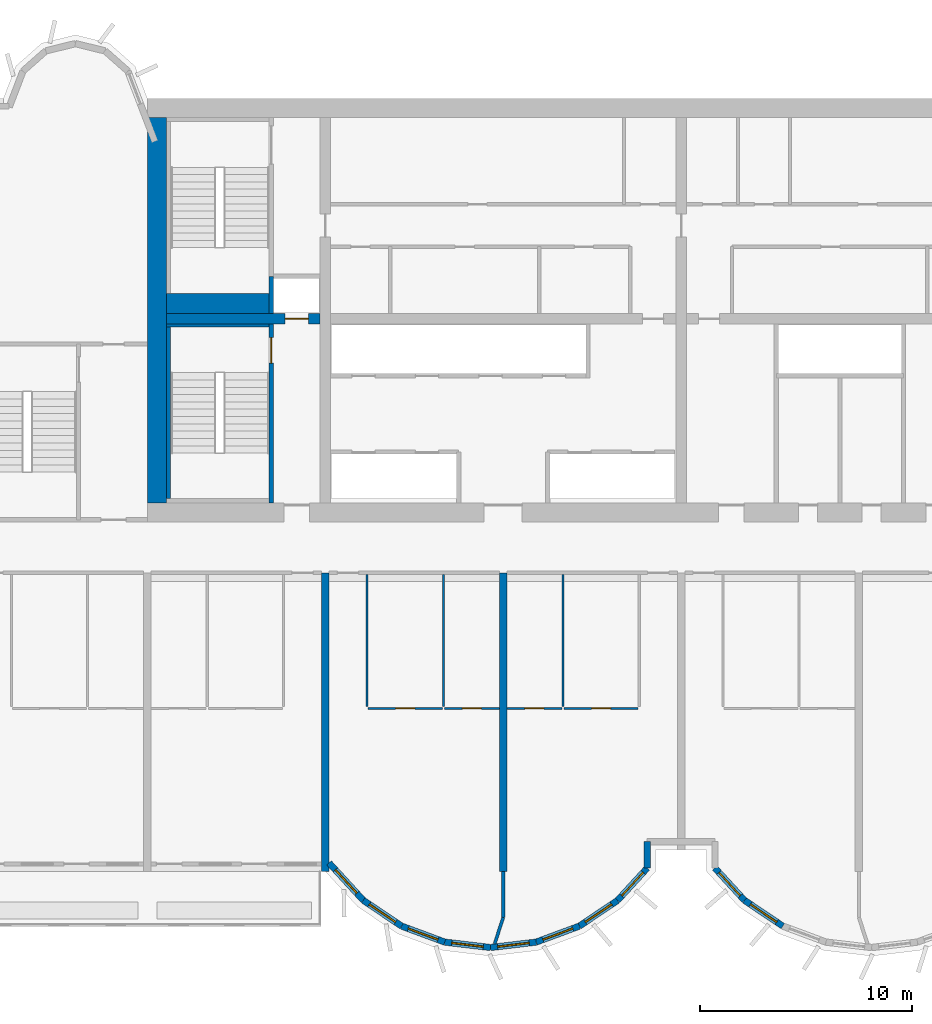
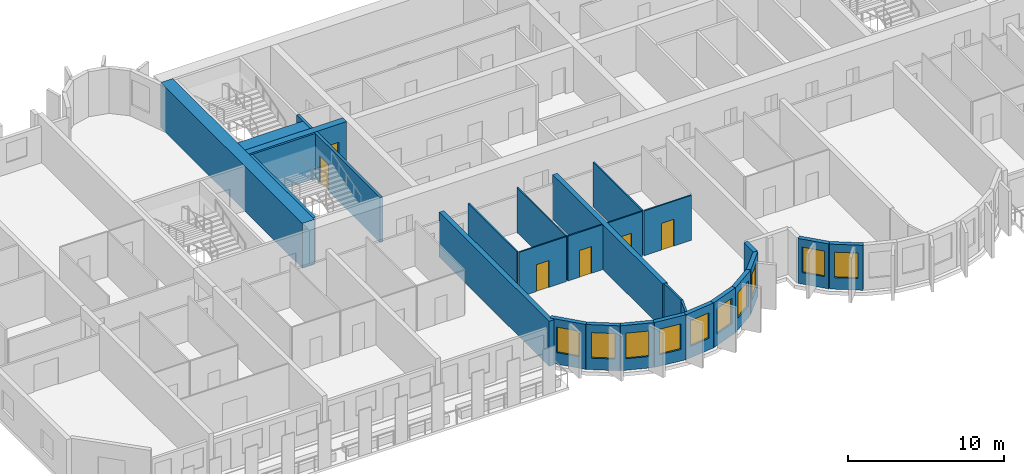
# One storey, part 4 of 14: 29 walls, 10 windows, 6 doors, 16 openings.
"""IFC4 building model written with IfcOpenShell, lengths in metres."""

from ifc_helpers import new_model, si_unit, direction, frame, frame_2d, origin, place, context, subcontext, project, spatial, rectangle, extrude, source, transform, mapped, material, layer, layer_set, type_object, element, fill, save


model = new_model("IFC4")

# Units and contexts
model_context = context("Model", 3, precision=1e-05, world=origin(), true_north=direction((0.0, 1.0)))
body_context = subcontext(model_context, "Body", "Model", "MODEL_VIEW")
ifc_project = project(units=[si_unit("LENGTHUNIT", "METRE"), si_unit("AREAUNIT", "SQUARE_METRE"), si_unit("VOLUMEUNIT", "CUBIC_METRE"), si_unit("PLANEANGLEUNIT", "RADIAN"), si_unit("MASSUNIT", "GRAM", prefix="KILO")], contexts=[model_context])

# Site, building, storey
site_placement = place(None, origin())
site = spatial("IfcSite", under=ifc_project, at=site_placement, CompositionType="ELEMENT")
building_placement = place(site_placement, origin())
building = spatial("IfcBuilding", under=site, at=building_placement, Name="Vanashikhar Sky Hotel", CompositionType="ELEMENT")
storey_placement = place(building_placement, frame((0.0, 0.0, 118.0)))
storey = spatial("IfcBuildingStorey", under=building, at=storey_placement, Name="L28", CompositionType="ELEMENT", Elevation=118.0)

# Wall
ifc_material_1 = material(Name="Concrete M70", Category="concrete")
ifc_layer_1 = layer(ifc_material_1, 0.89990234375)
ifc_layer_set_1 = layer_set([ifc_layer_1], Name="RC core shell wall 900 Concrete M70")
wall_type_1 = type_object("IfcWallType", Name="RC core shell wall 900 Concrete M70", PredefinedType="SHEAR", material=ifc_layer_set_1)
shared_shape_1 = source(origin(), body_context, "Body", "SweptSolid", [
    extrude(rectangle(XDim=18.2001953125, YDim=0.89990234375, at=frame_2d((9.10009765625, 0.0))), origin(), (0.0, 0.0, 1.0), 3.52001953125),
])
wall_1_placement = place(storey_placement, frame((25.64990234375, 22.89990234375, 0.0), z_axis=(0.0, 0.0, 1.0), x_axis=(0.0, 1.0, 0.0)))
element("IfcWall", 1, at=wall_1_placement, inside=storey, type_object=wall_type_1, Name="KW-L28-KW", PredefinedType="SHEAR", context=body_context, shape_type="MappedRepresentation", body=[
    mapped(shared_shape_1, transform((0.0, 0.0, 0.0), scale=1.0)),
])

# Wall, opening, door
ifc_layer_2 = layer(ifc_material_1, 0.5)
ifc_layer_set_2 = layer_set([ifc_layer_2], Name="RC core inner wall 500 Concrete M70")
wall_type_2 = type_object("IfcWallType", Name="RC core inner wall 500 Concrete M70", PredefinedType="SHEAR", material=ifc_layer_set_2)
shared_shape_2 = source(origin(), body_context, "Body", "SweptSolid", [
    extrude(rectangle(XDim=7.25, YDim=0.5, at=frame_2d((3.625, 0.0))), origin(), (0.0, 0.0, 1.0), 3.52001953125),
])
wall_2_placement = place(storey_placement, frame((26.10009765625, 31.60009765625, 0.0), z_axis=(0.0, 0.0, 1.0), x_axis=(1.0, 0.0, 0.0)))
wall_2 = element("IfcWall", 2, at=wall_2_placement, inside=storey, type_object=wall_type_2, Name="KW-L28-KY1", PredefinedType="SHEAR", context=body_context, shape_type="MappedRepresentation", body=[
    mapped(shared_shape_2, transform((0.0, 0.0, 0.0), scale=1.0)),
])
shared_shape_3 = source(origin(), body_context, "Body", "SweptSolid", [
    extrude(rectangle(XDim=1.10009765625, YDim=2.10009765625, at=frame_2d((0.550048828125, 1.050048828125))), frame((0.0, 0.260009765625, 0.0), z_axis=(0.0, -1.0, 0.0), x_axis=(1.0, 0.0, 0.0)), (0.0, 0.0, 1.0), 0.52001953125),
])
opening_1_placement = place(wall_2_placement, frame((5.60009765625, 0.0, 0.0)))
opening_1 = element("IfcOpeningElement", 3, at=opening_1_placement, cuts=wall_2, Name="Opening LD", PredefinedType="OPENING", context=body_context, shape_type="MappedRepresentation", body=[
    mapped(shared_shape_3, transform((0.0, 0.0, 0.0), scale=1.0)),
])
ifc_material_2 = material(Name="Stainless steel", Category="steel")
door_type_1 = type_object("IfcDoorType", Name="Lift landing door 1100", OperationType="NOTDEFINED", PredefinedType="DOOR", material=ifc_material_2)
shared_shape_4 = source(origin(), body_context, "Body", "SweptSolid", [
    extrude(rectangle(XDim=1.10009765625, YDim=2.10009765625, at=frame_2d((0.550048828125, 1.050048828125))), frame((0.0, 0.02490234375, 0.0), z_axis=(0.0, -1.0, 0.0), x_axis=(1.0, 0.0, 0.0)), (0.0, 0.0, 1.0), 0.050048828125),
])
door_1_placement = place(opening_1_placement, origin())
door_1 = element("IfcDoor", 4, at=door_1_placement, inside=storey, type_object=door_type_1, Name="Lift landing door 1100", OperationType="SLIDING_TO_RIGHT", OverallHeight=2.10009765625, OverallWidth=1.10009765625, PredefinedType="DOOR", context=body_context, shape_type="MappedRepresentation", body=[
    mapped(shared_shape_4, transform((0.0, 0.0, 0.0), scale=1.0)),
])
fill(opening_1, door_1)

# Walls
ifc_layer_3 = layer(ifc_material_1, 0.35009765625)
ifc_layer_set_3 = layer_set([ifc_layer_3], Name="RC shear wall 350 Concrete M70")
wall_type_3 = type_object("IfcWallType", Name="RC shear wall 350 Concrete M70", PredefinedType="SHEAR", material=ifc_layer_set_3)
shared_shape_5 = source(origin(), body_context, "Body", "SweptSolid", [
    extrude(rectangle(XDim=14.10009765625, YDim=0.35009765625, at=frame_2d((7.050048828125, 0.0))), origin(), (0.0, 0.0, 1.0), 3.52001953125),
])
for number, where, z_axis, x_axis, name in (
    (5, (33.60009765625, 5.5, 0.0), (0.0, 0.0, 1.0), (0.0, 1.0, 0.0), "CW-L28-XW05-1"),
    (6, (42.0, 5.5, 0.0), (0.0, 0.0, 1.0), (0.0, 1.0, 0.0), "CW-L28-XW06-1"),
):
    element("IfcWall", number, at=place(storey_placement, frame(where, z_axis=z_axis, x_axis=x_axis)), inside=storey, type_object=wall_type_3, Name=name, PredefinedType="SHEAR", context=body_context, shape_type="MappedRepresentation", body=[
        mapped(shared_shape_5, transform((0.0, 0.0, 0.0), scale=1.0)),
    ])

# Wall, opening, window
ifc_material_3 = material(Name="Concrete M50", Category="concrete")
ifc_layer_4 = layer(ifc_material_3, 0.300048828125)
ifc_layer_set_4 = layer_set([ifc_layer_4], Name="Lobe wall 300")
wall_type_4 = type_object("IfcWallType", Name="Lobe wall 300", PredefinedType="SOLIDWALL", material=ifc_layer_set_4)
shared_shape_6 = source(origin(), body_context, "Body", "SweptSolid", [
    extrude(rectangle(XDim=2.398193359375, YDim=0.300048828125, at=frame_2d((1.19921875, 0.0))), origin(), (0.0, 0.0, 1.0), 3.52001953125),
])
wall_3_placement = place(storey_placement, frame((33.776123046875, 5.89990234375, 0.0), z_axis=(0.0, 0.0, 1.0), x_axis=(0.675374189419, -0.737475222815, 0.0)))
wall_3 = element("IfcWall", 7, at=wall_3_placement, inside=storey, type_object=wall_type_4, Name="Lobe wall", PredefinedType="SOLIDWALL", context=body_context, shape_type="MappedRepresentation", body=[
    mapped(shared_shape_6, transform((0.0, 0.0, 0.0), scale=1.0)),
])
shared_shape_7 = source(origin(), body_context, "Body", "SweptSolid", [
    extrude(rectangle(XDim=1.5, YDim=2.0, at=frame_2d((0.75, 1.0))), frame((0.0, 0.16015625, 0.0), z_axis=(0.0, -1.0, 0.0), x_axis=(1.0, 0.0, 0.0)), (0.0, 0.0, 1.0), 0.320068359375),
])
opening_2_placement = place(wall_3_placement, frame((0.44921875, 0.0, 0.89990234375)))
opening_2 = element("IfcOpeningElement", 8, at=opening_2_placement, cuts=wall_3, Name="Opening WN-2", PredefinedType="OPENING", context=body_context, shape_type="MappedRepresentation", body=[
    mapped(shared_shape_7, transform((0.0, 0.0, 0.0), scale=1.0)),
])
ifc_material_4 = material(Name="Glass", Category="glass")
window_type = type_object("IfcWindowType", Name="Lobe window 1500 x 2000", PartitioningType="SINGLE_PANEL", PredefinedType="WINDOW", material=ifc_material_4)
shared_shape_8 = source(origin(), body_context, "Body", "SweptSolid", [
    extrude(rectangle(XDim=1.5, YDim=2.0, at=frame_2d((0.75, 1.0))), frame((0.0, 0.030029296875, 0.0), z_axis=(0.0, -1.0, 0.0), x_axis=(1.0, 0.0, 0.0)), (0.0, 0.0, 1.0), 0.06005859375),
])
window_1_placement = place(opening_2_placement, origin())
window_1 = element("IfcWindow", 9, at=window_1_placement, inside=storey, type_object=window_type, Name="Window WN-2", OverallHeight=2.0, OverallWidth=1.5, PartitioningType="SINGLE_PANEL", PredefinedType="WINDOW", context=body_context, shape_type="MappedRepresentation", body=[
    mapped(shared_shape_8, transform((0.0, 0.0, 0.0), scale=1.0)),
])
fill(opening_2, window_1)

shared_shape_9 = source(origin(), body_context, "Body", "SweptSolid", [
    extrude(rectangle(XDim=2.17578125, YDim=0.300048828125, at=frame_2d((1.087890625, 0.0))), origin(), (0.0, 0.0, 1.0), 3.52001953125),
])
wall_4_placement = place(storey_placement, frame((35.395751953125, 4.13134765625, 0.0), z_axis=(0.0, 0.0, 1.0), x_axis=(0.829590746428, -0.558371913192, 0.0)))
wall_4 = element("IfcWall", 10, at=wall_4_placement, inside=storey, type_object=wall_type_4, Name="Lobe wall", PredefinedType="SOLIDWALL", context=body_context, shape_type="MappedRepresentation", body=[
    mapped(shared_shape_9, transform((0.0, 0.0, 0.0), scale=1.0)),
])
opening_3_placement = place(wall_4_placement, frame((0.337890625, 0.0, 0.89990234375)))
opening_3 = element("IfcOpeningElement", 11, at=opening_3_placement, cuts=wall_4, Name="Opening WN-2", PredefinedType="OPENING", context=body_context, shape_type="MappedRepresentation", body=[
    mapped(shared_shape_7, transform((0.0, 0.0, 0.0), scale=1.0)),
])
window_2_placement = place(opening_3_placement, origin())
window_2 = element("IfcWindow", 12, at=window_2_placement, inside=storey, type_object=window_type, Name="Window WN-2", OverallHeight=2.0, OverallWidth=1.5, PartitioningType="SINGLE_PANEL", PredefinedType="WINDOW", context=body_context, shape_type="MappedRepresentation", body=[
    mapped(shared_shape_8, transform((0.0, 0.0, 0.0), scale=1.0)),
])
fill(opening_3, window_2)

wall_5_placement = place(storey_placement, frame((37.20068359375, 2.91650390625, 0.0), z_axis=(0.0, 0.0, 1.0), x_axis=(0.93754555999, -0.347862505801, 0.0)))
wall_5 = element("IfcWall", 13, at=wall_5_placement, inside=storey, type_object=wall_type_4, Name="Lobe wall", PredefinedType="SOLIDWALL", context=body_context, shape_type="MappedRepresentation", body=[
    mapped(shared_shape_9, transform((0.0, 0.0, 0.0), scale=1.0)),
])
opening_4_placement = place(wall_5_placement, frame((0.337890625, 0.0, 0.89990234375)))
opening_4 = element("IfcOpeningElement", 14, at=opening_4_placement, cuts=wall_5, Name="Opening WN-2", PredefinedType="OPENING", context=body_context, shape_type="MappedRepresentation", body=[
    mapped(shared_shape_7, transform((0.0, 0.0, 0.0), scale=1.0)),
])
window_3_placement = place(opening_4_placement, origin())
window_3 = element("IfcWindow", 15, at=window_3_placement, inside=storey, type_object=window_type, Name="Window WN-2", OverallHeight=2.0, OverallWidth=1.5, PartitioningType="SINGLE_PANEL", PredefinedType="WINDOW", context=body_context, shape_type="MappedRepresentation", body=[
    mapped(shared_shape_8, transform((0.0, 0.0, 0.0), scale=1.0)),
])
fill(opening_4, window_3)

wall_6_placement = place(storey_placement, frame((45.59912109375, 2.91650390625, 0.0), z_axis=(0.0, 0.0, 1.0), x_axis=(0.829625727223, 0.558319937607, 0.0)))
wall_6 = element("IfcWall", 16, at=wall_6_placement, inside=storey, type_object=wall_type_4, Name="Lobe wall", PredefinedType="SOLIDWALL", context=body_context, shape_type="MappedRepresentation", body=[
    mapped(shared_shape_9, transform((0.0, 0.0, 0.0), scale=1.0)),
])
opening_5_placement = place(wall_6_placement, frame((0.337890625, 0.0, 0.89990234375)))
opening_5 = element("IfcOpeningElement", 17, at=opening_5_placement, cuts=wall_6, Name="Opening WN-2", PredefinedType="OPENING", context=body_context, shape_type="MappedRepresentation", body=[
    mapped(shared_shape_7, transform((0.0, 0.0, 0.0), scale=1.0)),
])
window_4_placement = place(opening_5_placement, origin())
window_4 = element("IfcWindow", 18, at=window_4_placement, inside=storey, type_object=window_type, Name="Window WN-2", OverallHeight=2.0, OverallWidth=1.5, PartitioningType="SINGLE_PANEL", PredefinedType="WINDOW", context=body_context, shape_type="MappedRepresentation", body=[
    mapped(shared_shape_8, transform((0.0, 0.0, 0.0), scale=1.0)),
])
fill(opening_5, window_4)

wall_7_placement = place(storey_placement, frame((53.395751953125, 4.13134765625, 0.0), z_axis=(0.0, 0.0, 1.0), x_axis=(0.829590746428, -0.558371913192, 0.0)))
wall_7 = element("IfcWall", 19, at=wall_7_placement, inside=storey, type_object=wall_type_4, Name="Lobe wall", PredefinedType="SOLIDWALL", context=body_context, shape_type="MappedRepresentation", body=[
    mapped(shared_shape_9, transform((0.0, 0.0, 0.0), scale=1.0)),
])
opening_6_placement = place(wall_7_placement, frame((0.337890625, 0.0, 0.89990234375)))
opening_6 = element("IfcOpeningElement", 20, at=opening_6_placement, cuts=wall_7, Name="Opening WN-2", PredefinedType="OPENING", context=body_context, shape_type="MappedRepresentation", body=[
    mapped(shared_shape_7, transform((0.0, 0.0, 0.0), scale=1.0)),
])
window_5_placement = place(opening_6_placement, origin())
window_5 = element("IfcWindow", 21, at=window_5_placement, inside=storey, type_object=window_type, Name="Window WN-2", OverallHeight=2.0, OverallWidth=1.5, PartitioningType="SINGLE_PANEL", PredefinedType="WINDOW", context=body_context, shape_type="MappedRepresentation", body=[
    mapped(shared_shape_8, transform((0.0, 0.0, 0.0), scale=1.0)),
])
fill(opening_6, window_5)

shared_shape_10 = source(origin(), body_context, "Body", "SweptSolid", [
    extrude(rectangle(XDim=2.174560546875, YDim=0.300048828125, at=frame_2d((1.08740234375, 0.0))), origin(), (0.0, 0.0, 1.0), 3.52001953125),
])
wall_8_placement = place(storey_placement, frame((39.240478515625, 2.15966796875, 0.0), z_axis=(0.0, 0.0, 1.0), x_axis=(0.993001132889, -0.118104826659, 0.0)))
wall_8 = element("IfcWall", 22, at=wall_8_placement, inside=storey, type_object=wall_type_4, Name="Lobe wall", PredefinedType="SOLIDWALL", context=body_context, shape_type="MappedRepresentation", body=[
    mapped(shared_shape_10, transform((0.0, 0.0, 0.0), scale=1.0)),
])
opening_7_placement = place(wall_8_placement, frame((0.33740234375, 0.0, 0.89990234375)))
opening_7 = element("IfcOpeningElement", 23, at=opening_7_placement, cuts=wall_8, Name="Opening WN-2", PredefinedType="OPENING", context=body_context, shape_type="MappedRepresentation", body=[
    mapped(shared_shape_7, transform((0.0, 0.0, 0.0), scale=1.0)),
])
window_6_placement = place(opening_7_placement, origin())
window_6 = element("IfcWindow", 24, at=window_6_placement, inside=storey, type_object=window_type, Name="Window WN-2", OverallHeight=2.0, OverallWidth=1.5, PartitioningType="SINGLE_PANEL", PredefinedType="WINDOW", context=body_context, shape_type="MappedRepresentation", body=[
    mapped(shared_shape_8, transform((0.0, 0.0, 0.0), scale=1.0)),
])
fill(opening_7, window_6)

shared_shape_11 = source(origin(), body_context, "Body", "SweptSolid", [
    extrude(rectangle(XDim=2.1748046875, YDim=0.300048828125, at=frame_2d((1.08740234375, 0.0))), origin(), (0.0, 0.0, 1.0), 3.52001953125),
])
wall_9_placement = place(storey_placement, frame((41.39990234375, 1.90283203125, 0.0), z_axis=(0.0, 0.0, 1.0), x_axis=(0.993002698611, 0.118091661648, 0.0)))
wall_9 = element("IfcWall", 25, at=wall_9_placement, inside=storey, type_object=wall_type_4, Name="Lobe wall", PredefinedType="SOLIDWALL", context=body_context, shape_type="MappedRepresentation", body=[
    mapped(shared_shape_11, transform((0.0, 0.0, 0.0), scale=1.0)),
])
opening_8_placement = place(wall_9_placement, frame((0.33740234375, 0.0, 0.89990234375)))
opening_8 = element("IfcOpeningElement", 26, at=opening_8_placement, cuts=wall_9, Name="Opening WN-2", PredefinedType="OPENING", context=body_context, shape_type="MappedRepresentation", body=[
    mapped(shared_shape_7, transform((0.0, 0.0, 0.0), scale=1.0)),
])
window_7_placement = place(opening_8_placement, origin())
window_7 = element("IfcWindow", 27, at=window_7_placement, inside=storey, type_object=window_type, Name="Window WN-2", OverallHeight=2.0, OverallWidth=1.5, PartitioningType="SINGLE_PANEL", PredefinedType="WINDOW", context=body_context, shape_type="MappedRepresentation", body=[
    mapped(shared_shape_8, transform((0.0, 0.0, 0.0), scale=1.0)),
])
fill(opening_8, window_7)

shared_shape_12 = source(origin(), body_context, "Body", "SweptSolid", [
    extrude(rectangle(XDim=2.175537109375, YDim=0.300048828125, at=frame_2d((1.087890625, 0.0))), origin(), (0.0, 0.0, 1.0), 3.52001953125),
])
wall_10_placement = place(storey_placement, frame((43.5595703125, 2.15966796875, 0.0), z_axis=(0.0, 0.0, 1.0), x_axis=(0.937531979054, 0.347899106424, 0.0)))
wall_10 = element("IfcWall", 28, at=wall_10_placement, inside=storey, type_object=wall_type_4, Name="Lobe wall", PredefinedType="SOLIDWALL", context=body_context, shape_type="MappedRepresentation", body=[
    mapped(shared_shape_12, transform((0.0, 0.0, 0.0), scale=1.0)),
])
opening_9_placement = place(wall_10_placement, frame((0.337890625, 0.0, 0.89990234375)))
opening_9 = element("IfcOpeningElement", 29, at=opening_9_placement, cuts=wall_10, Name="Opening WN-2", PredefinedType="OPENING", context=body_context, shape_type="MappedRepresentation", body=[
    mapped(shared_shape_7, transform((0.0, 0.0, 0.0), scale=1.0)),
])
window_8_placement = place(opening_9_placement, origin())
window_8 = element("IfcWindow", 30, at=window_8_placement, inside=storey, type_object=window_type, Name="Window WN-2", OverallHeight=2.0, OverallWidth=1.5, PartitioningType="SINGLE_PANEL", PredefinedType="WINDOW", context=body_context, shape_type="MappedRepresentation", body=[
    mapped(shared_shape_8, transform((0.0, 0.0, 0.0), scale=1.0)),
])
fill(opening_9, window_8)

shared_shape_13 = source(origin(), body_context, "Body", "SweptSolid", [
    extrude(rectangle(XDim=2.066650390625, YDim=0.300048828125, at=frame_2d((1.033203125, 0.0))), origin(), (0.0, 0.0, 1.0), 3.52001953125),
])
wall_11_placement = place(storey_placement, frame((47.404296875, 4.13134765625, 0.0), z_axis=(0.0, 0.0, 1.0), x_axis=(0.675355439877, 0.737492393065, 0.0)))
wall_11 = element("IfcWall", 31, at=wall_11_placement, inside=storey, type_object=wall_type_4, Name="Lobe wall", PredefinedType="SOLIDWALL", context=body_context, shape_type="MappedRepresentation", body=[
    mapped(shared_shape_13, transform((0.0, 0.0, 0.0), scale=1.0)),
])
opening_10_placement = place(wall_11_placement, frame((0.283447265625, 0.0, 0.89990234375)))
opening_10 = element("IfcOpeningElement", 32, at=opening_10_placement, cuts=wall_11, Name="Opening WN-2", PredefinedType="OPENING", context=body_context, shape_type="MappedRepresentation", body=[
    mapped(shared_shape_7, transform((0.0, 0.0, 0.0), scale=1.0)),
])
window_9_placement = place(opening_10_placement, origin())
window_9 = element("IfcWindow", 33, at=window_9_placement, inside=storey, type_object=window_type, Name="Window WN-2", OverallHeight=2.0, OverallWidth=1.5, PartitioningType="SINGLE_PANEL", PredefinedType="WINDOW", context=body_context, shape_type="MappedRepresentation", body=[
    mapped(shared_shape_8, transform((0.0, 0.0, 0.0), scale=1.0)),
])
fill(opening_10, window_9)

wall_12_placement = place(storey_placement, frame((52.0, 5.655517578125, 0.0), z_axis=(0.0, 0.0, 1.0), x_axis=(0.675355439877, -0.737492393065, 0.0)))
wall_12 = element("IfcWall", 34, at=wall_12_placement, inside=storey, type_object=wall_type_4, Name="Lobe wall", PredefinedType="SOLIDWALL", context=body_context, shape_type="MappedRepresentation", body=[
    mapped(shared_shape_13, transform((0.0, 0.0, 0.0), scale=1.0)),
])
opening_11_placement = place(wall_12_placement, frame((0.283447265625, 0.0, 0.89990234375)))
opening_11 = element("IfcOpeningElement", 35, at=opening_11_placement, cuts=wall_12, Name="Opening WN-2", PredefinedType="OPENING", context=body_context, shape_type="MappedRepresentation", body=[
    mapped(shared_shape_7, transform((0.0, 0.0, 0.0), scale=1.0)),
])
window_10_placement = place(opening_11_placement, origin())
window_10 = element("IfcWindow", 36, at=window_10_placement, inside=storey, type_object=window_type, Name="Window WN-2", OverallHeight=2.0, OverallWidth=1.5, PartitioningType="SINGLE_PANEL", PredefinedType="WINDOW", context=body_context, shape_type="MappedRepresentation", body=[
    mapped(shared_shape_8, transform((0.0, 0.0, 0.0), scale=1.0)),
])
fill(opening_11, window_10)

# Wall
shared_shape_14 = source(origin(), body_context, "Body", "SweptSolid", [
    extrude(rectangle(XDim=1.244384765625, YDim=0.300048828125, at=frame_2d((0.6220703125, 0.0))), origin(), (0.0, 0.0, 1.0), 3.52001953125),
])
wall_13_placement = place(storey_placement, frame((48.800048828125, 5.655517578125, 0.0), z_axis=(0.0, 0.0, 1.0), x_axis=(0.0, 1.0, 0.0)))
element("IfcWall", 37, at=wall_13_placement, inside=storey, type_object=wall_type_4, Name="Groove wall", PredefinedType="SOLIDWALL", context=body_context, shape_type="MappedRepresentation", body=[
    mapped(shared_shape_14, transform((0.0, 0.0, 0.0), scale=1.0)),
])

# Wall, opening, door
ifc_layer_5 = layer(ifc_material_3, 0.199951171875)
ifc_layer_set_5 = layer_set([ifc_layer_5], Name="Stair wall 200")
wall_type_5 = type_object("IfcWallType", Name="Stair wall 200", PredefinedType="SOLIDWALL", material=ifc_layer_set_5)
shared_shape_15 = source(origin(), body_context, "Body", "SweptSolid", [
    extrude(rectangle(XDim=8.4501953125, YDim=0.199951171875, at=frame_2d((4.22509765625, 0.0))), origin(), (0.0, 0.0, 1.0), 3.52001953125),
])
wall_14_placement = place(storey_placement, frame((31.050048828125, 22.89990234375, 0.0), z_axis=(0.0, 0.0, 1.0), x_axis=(0.0, 1.0, 0.0)))
wall_14 = element("IfcWall", 38, at=wall_14_placement, inside=storey, type_object=wall_type_5, Name="Stair wall 200", PredefinedType="SOLIDWALL", context=body_context, shape_type="MappedRepresentation", body=[
    mapped(shared_shape_15, transform((0.0, 0.0, 0.0), scale=1.0)),
])
shared_shape_16 = source(origin(), body_context, "Body", "SweptSolid", [
    extrude(rectangle(XDim=1.199951171875, YDim=2.10009765625, at=frame_2d((0.60009765625, 1.050048828125))), frame((0.0, 0.10986328125, 0.0), z_axis=(0.0, -1.0, 0.0), x_axis=(1.0, 0.0, 0.0)), (0.0, 0.0, 1.0), 0.219970703125),
])
opening_12_placement = place(wall_14_placement, frame((6.60009765625, 0.0, 0.0)))
opening_12 = element("IfcOpeningElement", 39, at=opening_12_placement, cuts=wall_14, Name="Opening DC-1", PredefinedType="OPENING", context=body_context, shape_type="MappedRepresentation", body=[
    mapped(shared_shape_16, transform((0.0, 0.0, 0.0), scale=1.0)),
])
ifc_material_5 = material(Name="Steel", Category="steel")
door_type_2 = type_object("IfcDoorType", Name="Stair door 1200 FD120", OperationType="NOTDEFINED", PredefinedType="DOOR", material=ifc_material_5)
shared_shape_17 = source(origin(), body_context, "Body", "SweptSolid", [
    extrude(rectangle(XDim=1.199951171875, YDim=2.10009765625, at=frame_2d((0.60009765625, 1.050048828125))), frame((0.0, 0.02490234375, 0.0), z_axis=(0.0, -1.0, 0.0), x_axis=(1.0, 0.0, 0.0)), (0.0, 0.0, 1.0), 0.050048828125),
])
door_2_placement = place(opening_12_placement, origin())
door_2 = element("IfcDoor", 40, at=door_2_placement, inside=storey, type_object=door_type_2, Name="Stair door 1200 FD120", OperationType="SINGLE_SWING_LEFT", OverallHeight=2.10009765625, OverallWidth=1.199951171875, PredefinedType="DOOR", context=body_context, shape_type="MappedRepresentation", body=[
    mapped(shared_shape_17, transform((0.0, 0.0, 0.0), scale=1.0)),
])
fill(opening_12, door_2)

# Walls
ifc_material_6 = material(Name="Concrete M40", Category="concrete")
ifc_layer_6 = layer(ifc_material_6, 0.199951171875)
ifc_layer_set_6 = layer_set([ifc_layer_6], Name="Shaft wall 200")
wall_type_6 = type_object("IfcWallType", Name="Shaft wall 200", PredefinedType="SOLIDWALL", material=ifc_layer_set_6)
shared_shape_18 = source(origin(), body_context, "Body", "SweptSolid", [
    extrude(rectangle(XDim=1.75, YDim=0.199951171875, at=frame_2d((0.875, 0.0))), origin(), (0.0, 0.0, 1.0), 3.52001953125),
])
wall_15_placement = place(storey_placement, frame((31.050048828125, 31.85009765625, 0.0), z_axis=(0.0, 0.0, 1.0), x_axis=(0.0, 1.0, 0.0)))
element("IfcWall", 41, at=wall_15_placement, inside=storey, type_object=wall_type_6, Name="Shaft wall 200", PredefinedType="SOLIDWALL", context=body_context, shape_type="MappedRepresentation", body=[
    mapped(shared_shape_18, transform((0.0, 0.0, 0.0), scale=1.0)),
])
ifc_layer_7 = layer(ifc_material_3, 0.14990234375)
ifc_layer_set_7 = layer_set([ifc_layer_7], Name="Stair infill wall 150")
wall_type_7 = type_object("IfcWallType", Name="Stair infill wall 150", PredefinedType="SOLIDWALL", material=ifc_layer_set_7)
shared_shape_19 = source(origin(), body_context, "Body", "SweptSolid", [
    extrude(rectangle(XDim=4.849853515625, YDim=0.14990234375, at=frame_2d((2.4248046875, 0.0))), origin(), (0.0, 0.0, 1.0), 3.52001953125),
])
wall_16_placement = place(storey_placement, frame((26.10009765625, 31.27490234375, 0.0), z_axis=(0.0, 0.0, 1.0), x_axis=(1.0, 0.0, 0.0)))
element("IfcWall", 42, at=wall_16_placement, inside=storey, type_object=wall_type_7, Name="Stair infill wall 150", PredefinedType="SOLIDWALL", context=body_context, shape_type="MappedRepresentation", body=[
    mapped(shared_shape_19, transform((0.0, 0.0, 0.0), scale=1.0)),
])
ifc_layer_8 = layer(ifc_material_3, 0.199951171875)
ifc_layer_set_8 = layer_set([ifc_layer_8], Name="Stair infill wall 200")
wall_type_8 = type_object("IfcWallType", Name="Stair infill wall 200", PredefinedType="SOLIDWALL", material=ifc_layer_set_8)
shared_shape_20 = source(origin(), body_context, "Body", "SweptSolid", [
    extrude(rectangle(XDim=8.099853515625, YDim=0.199951171875, at=frame_2d((4.0498046875, 0.0))), origin(), (0.0, 0.0, 1.0), 3.52001953125),
])
wall_17_placement = place(storey_placement, frame((26.199951171875, 23.10009765625, 0.0), z_axis=(0.0, 0.0, 1.0), x_axis=(0.0, 1.0, 0.0)))
element("IfcWall", 43, at=wall_17_placement, inside=storey, type_object=wall_type_8, Name="Stair infill wall 200", PredefinedType="SOLIDWALL", context=body_context, shape_type="MappedRepresentation", body=[
    mapped(shared_shape_20, transform((0.0, 0.0, 0.0), scale=1.0)),
])
ifc_layer_9 = layer(ifc_material_3, 0.949951171875)
ifc_layer_set_9 = layer_set([ifc_layer_9], Name="Stair infill wall 950")
wall_type_9 = type_object("IfcWallType", Name="Stair infill wall 950", PredefinedType="SOLIDWALL", material=ifc_layer_set_9)
shared_shape_21 = source(origin(), body_context, "Body", "SweptSolid", [
    extrude(rectangle(XDim=4.849853515625, YDim=0.949951171875, at=frame_2d((2.4248046875, 0.0))), origin(), (0.0, 0.0, 1.0), 3.52001953125),
])
wall_18_placement = place(storey_placement, frame((26.10009765625, 32.324951171875, 0.0), z_axis=(0.0, 0.0, 1.0), x_axis=(1.0, 0.0, 0.0)))
element("IfcWall", 44, at=wall_18_placement, inside=storey, type_object=wall_type_9, Name="Stair infill wall 950", PredefinedType="SOLIDWALL", context=body_context, shape_type="MappedRepresentation", body=[
    mapped(shared_shape_21, transform((0.0, 0.0, 0.0), scale=1.0)),
])
ifc_material_7 = material(Name="Gypsum plasterboard partition")
ifc_layer_10 = layer(ifc_material_7, 0.14990234375)
ifc_layer_set_10 = layer_set([ifc_layer_10], Name="Corridor and demising partition 150")
wall_type_10 = type_object("IfcWallType", Name="Corridor and demising partition 150", PredefinedType="PARTITIONING", material=ifc_layer_set_10)
shared_shape_22 = source(origin(), body_context, "Body", "SweptSolid", [
    extrude(rectangle(XDim=2.177978515625, YDim=0.14990234375, at=frame_2d((1.0888671875, 0.0))), origin(), (0.0, 0.0, 1.0), 3.52001953125),
])
wall_19_placement = place(storey_placement, frame((42.0, 3.322021484375, 0.0), z_axis=(0.0, 0.0, 1.0), x_axis=(0.0, 1.0, 0.0)))
element("IfcWall", 45, at=wall_19_placement, inside=storey, type_object=wall_type_10, Name="W-L28-PW057", PredefinedType="PARTITIONING", context=body_context, shape_type="MappedRepresentation", body=[
    mapped(shared_shape_22, transform((0.0, 0.0, 0.0), scale=1.0)),
])

# Wall, opening, door
ifc_layer_11 = layer(ifc_material_7, 0.10009765625)
ifc_layer_set_11 = layer_set([ifc_layer_11], Name="Wet room partition 100")
wall_type_11 = type_object("IfcWallType", Name="Wet room partition 100", PredefinedType="PARTITIONING", material=ifc_layer_set_11)
shared_shape_23 = source(origin(), body_context, "Body", "SweptSolid", [
    extrude(rectangle(XDim=3.5, YDim=0.10009765625, at=frame_2d((1.75, 0.0))), origin(), (0.0, 0.0, 1.0), 3.52001953125),
])
wall_20_placement = place(storey_placement, frame((35.625, 13.199951171875, 0.0), z_axis=(0.0, 0.0, 1.0), x_axis=(1.0, 0.0, 0.0)))
wall_20 = element("IfcWall", 46, at=wall_20_placement, inside=storey, type_object=wall_type_11, Name="W-L28-PW020", PredefinedType="PARTITIONING", context=body_context, shape_type="MappedRepresentation", body=[
    mapped(shared_shape_23, transform((0.0, 0.0, 0.0), scale=1.0)),
])
shared_shape_24 = source(origin(), body_context, "Body", "SweptSolid", [
    extrude(rectangle(XDim=0.89990234375, YDim=2.10009765625, at=frame_2d((0.449951171875, 1.050048828125))), frame((0.0, 0.06005859375, 0.0), z_axis=(0.0, -1.0, 0.0), x_axis=(1.0, 0.0, 0.0)), (0.0, 0.0, 1.0), 0.1201171875),
])
opening_13_placement = place(wall_20_placement, frame((1.300048828125, 0.0, 0.0)))
opening_13 = element("IfcOpeningElement", 47, at=opening_13_placement, cuts=wall_20, Name="Opening D-02", PredefinedType="OPENING", context=body_context, shape_type="MappedRepresentation", body=[
    mapped(shared_shape_24, transform((0.0, 0.0, 0.0), scale=1.0)),
])
ifc_material_8 = material(Name="Timber door", Category="wood")
door_type_3 = type_object("IfcDoorType", Name="Internal door 900", OperationType="NOTDEFINED", PredefinedType="DOOR", material=ifc_material_8)
shared_shape_25 = source(origin(), body_context, "Body", "SweptSolid", [
    extrude(rectangle(XDim=0.89990234375, YDim=2.10009765625, at=frame_2d((0.449951171875, 1.050048828125))), frame((0.0, 0.02490234375, 0.0), z_axis=(0.0, -1.0, 0.0), x_axis=(1.0, 0.0, 0.0)), (0.0, 0.0, 1.0), 0.050048828125),
])
door_3_placement = place(opening_13_placement, origin())
door_3 = element("IfcDoor", 48, at=door_3_placement, inside=storey, type_object=door_type_3, Name="D-L28-012", OperationType="SINGLE_SWING_LEFT", OverallHeight=2.10009765625, OverallWidth=0.89990234375, PredefinedType="DOOR", context=body_context, shape_type="MappedRepresentation", body=[
    mapped(shared_shape_25, transform((0.0, 0.0, 0.0), scale=1.0)),
])
fill(opening_13, door_3)

wall_21_placement = place(storey_placement, frame((44.875, 13.199951171875, 0.0), z_axis=(0.0, 0.0, 1.0), x_axis=(1.0, 0.0, 0.0)))
wall_21 = element("IfcWall", 49, at=wall_21_placement, inside=storey, type_object=wall_type_11, Name="W-L28-PW025", PredefinedType="PARTITIONING", context=body_context, shape_type="MappedRepresentation", body=[
    mapped(shared_shape_23, transform((0.0, 0.0, 0.0), scale=1.0)),
])
opening_14_placement = place(wall_21_placement, frame((1.300048828125, 0.0, 0.0)))
opening_14 = element("IfcOpeningElement", 50, at=opening_14_placement, cuts=wall_21, Name="Opening D-02", PredefinedType="OPENING", context=body_context, shape_type="MappedRepresentation", body=[
    mapped(shared_shape_24, transform((0.0, 0.0, 0.0), scale=1.0)),
])
door_4_placement = place(opening_14_placement, origin())
door_4 = element("IfcDoor", 51, at=door_4_placement, inside=storey, type_object=door_type_3, Name="D-L28-015", OperationType="SINGLE_SWING_RIGHT", OverallHeight=2.10009765625, OverallWidth=0.89990234375, PredefinedType="DOOR", context=body_context, shape_type="MappedRepresentation", body=[
    mapped(shared_shape_25, transform((0.0, 0.0, 0.0), scale=1.0)),
])
fill(opening_14, door_4)

# Walls
shared_shape_26 = source(origin(), body_context, "Body", "SweptSolid", [
    extrude(rectangle(XDim=1.308349609375, YDim=0.14990234375, at=frame_2d((0.654296875, 0.0))), origin(), (0.0, 0.0, 1.0), 3.52001953125),
])
wall_22_placement = place(storey_placement, frame((41.597900390625, 2.076904296875, 0.0), z_axis=(0.0, 0.0, 1.0), x_axis=(0.307313512187, 0.951608325535, 0.0)))
element("IfcWall", 52, at=wall_22_placement, inside=storey, type_object=wall_type_10, Name="W-L28-PW057B0", PredefinedType="PARTITIONING", context=body_context, shape_type="MappedRepresentation", body=[
    mapped(shared_shape_26, transform((0.0, 0.0, 0.0), scale=1.0)),
])
shared_shape_27 = source(origin(), body_context, "Body", "SweptSolid", [
    extrude(rectangle(XDim=6.25, YDim=0.10009765625, at=frame_2d((3.125, 0.0))), origin(), (0.0, 0.0, 1.0), 3.52001953125),
])
for number, where, z_axis, x_axis, name in (
    (53, (35.574951171875, 13.27490234375, 0.0), (0.0, 0.0, 1.0), (0.0, 1.0, 0.0), "W-L28-PW018"),
    (54, (39.175048828125, 13.27490234375, 0.0), (0.0, 0.0, 1.0), (0.0, 1.0, 0.0), "W-L28-PW019"),
    (55, (44.824951171875, 13.27490234375, 0.0), (0.0, 0.0, 1.0), (0.0, 1.0, 0.0), "W-L28-PW024"),
):
    element("IfcWall", number, at=place(storey_placement, frame(where, z_axis=z_axis, x_axis=x_axis)), inside=storey, type_object=wall_type_11, Name=name, PredefinedType="PARTITIONING", context=body_context, shape_type="MappedRepresentation", body=[
        mapped(shared_shape_27, transform((0.0, 0.0, 0.0), scale=1.0)),
    ])

# Wall, opening, door
shared_shape_28 = source(origin(), body_context, "Body", "SweptSolid", [
    extrude(rectangle(XDim=2.599853515625, YDim=0.10009765625, at=frame_2d((1.2998046875, 0.0))), origin(), (0.0, 0.0, 1.0), 3.52001953125),
])
wall_23_placement = place(storey_placement, frame((39.22509765625, 13.199951171875, 0.0), z_axis=(0.0, 0.0, 1.0), x_axis=(1.0, 0.0, 0.0)))
wall_23 = element("IfcWall", 56, at=wall_23_placement, inside=storey, type_object=wall_type_11, Name="W-L28-PW021", PredefinedType="PARTITIONING", context=body_context, shape_type="MappedRepresentation", body=[
    mapped(shared_shape_28, transform((0.0, 0.0, 0.0), scale=1.0)),
])
opening_15_placement = place(wall_23_placement, frame((0.85009765625, 0.0, 0.0)))
opening_15 = element("IfcOpeningElement", 57, at=opening_15_placement, cuts=wall_23, Name="Opening D-02", PredefinedType="OPENING", context=body_context, shape_type="MappedRepresentation", body=[
    mapped(shared_shape_24, transform((0.0, 0.0, 0.0), scale=1.0)),
])
door_5_placement = place(opening_15_placement, origin())
door_5 = element("IfcDoor", 58, at=door_5_placement, inside=storey, type_object=door_type_3, Name="D-L28-013", OperationType="SINGLE_SWING_LEFT", OverallHeight=2.10009765625, OverallWidth=0.89990234375, PredefinedType="DOOR", context=body_context, shape_type="MappedRepresentation", body=[
    mapped(shared_shape_25, transform((0.0, 0.0, 0.0), scale=1.0)),
])
fill(opening_15, door_5)

wall_24_placement = place(storey_placement, frame((42.175048828125, 13.199951171875, 0.0), z_axis=(0.0, 0.0, 1.0), x_axis=(1.0, 0.0, 0.0)))
wall_24 = element("IfcWall", 59, at=wall_24_placement, inside=storey, type_object=wall_type_11, Name="W-L28-PW026", PredefinedType="PARTITIONING", context=body_context, shape_type="MappedRepresentation", body=[
    mapped(shared_shape_28, transform((0.0, 0.0, 0.0), scale=1.0)),
])
opening_16_placement = place(wall_24_placement, frame((0.85009765625, 0.0, 0.0)))
opening_16 = element("IfcOpeningElement", 60, at=opening_16_placement, cuts=wall_24, Name="Opening D-02", PredefinedType="OPENING", context=body_context, shape_type="MappedRepresentation", body=[
    mapped(shared_shape_24, transform((0.0, 0.0, 0.0), scale=1.0)),
])
door_6_placement = place(opening_16_placement, origin())
door_6 = element("IfcDoor", 61, at=door_6_placement, inside=storey, type_object=door_type_3, Name="D-L28-016", OperationType="SINGLE_SWING_RIGHT", OverallHeight=2.10009765625, OverallWidth=0.89990234375, PredefinedType="DOOR", context=body_context, shape_type="MappedRepresentation", body=[
    mapped(shared_shape_25, transform((0.0, 0.0, 0.0), scale=1.0)),
])
fill(opening_16, door_6)

save(model, "model.ifc")
